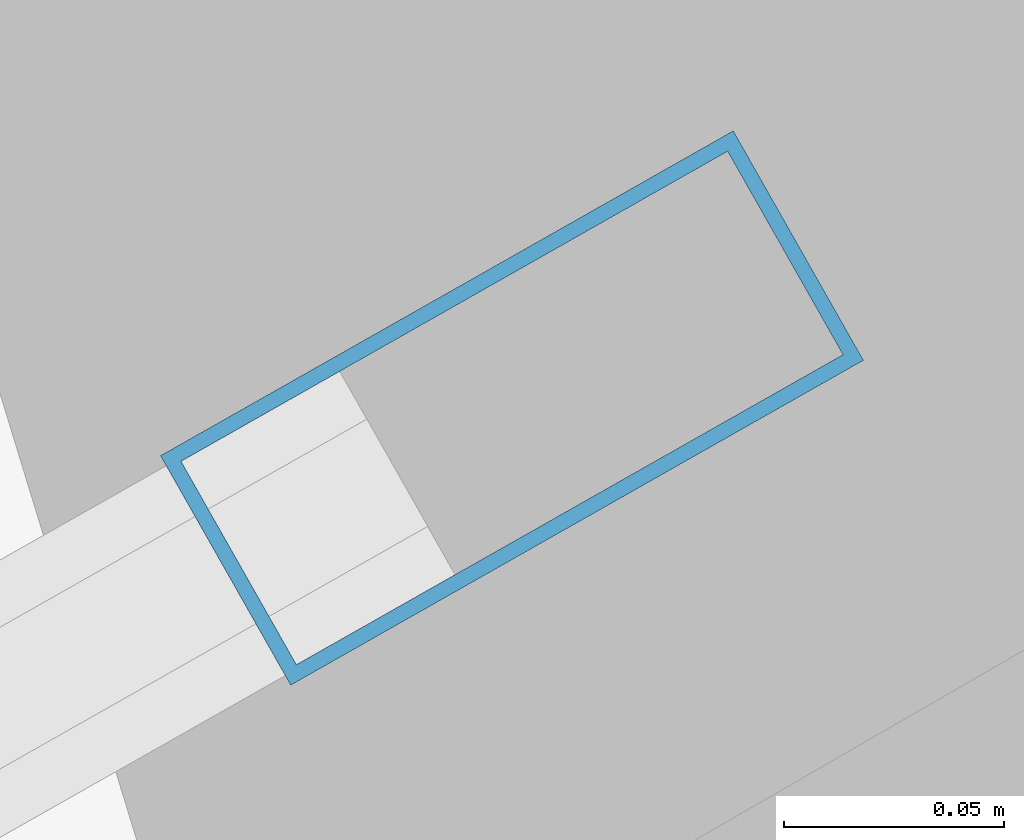
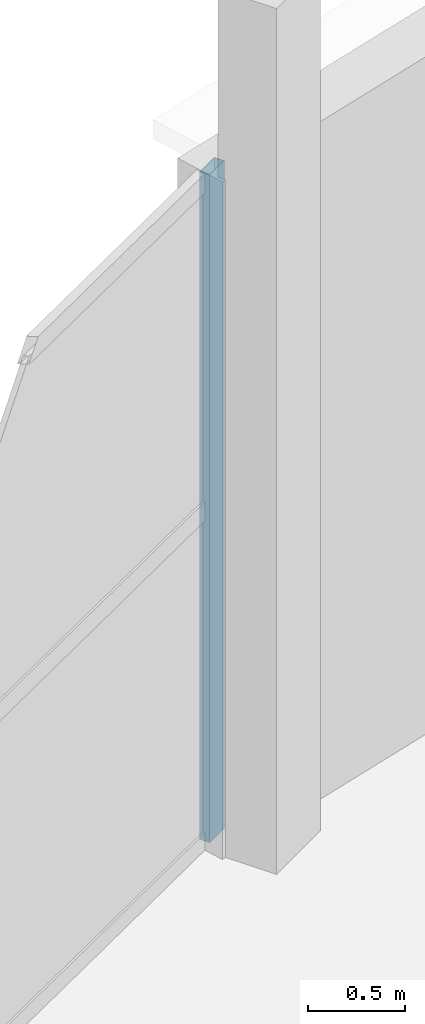
# One storey, part 48 of 123: 1 member, 1 element without a shape of its own.
"""IFC4 building model written with IfcOpenShell, lengths in metres."""

from ifc_helpers import new_model, si_unit, direction, frame, origin, origin_2d, place, context, subcontext, project, spatial, hollow_rectangle, extrude, material, layer, layer_set, material_profile, profile_set, type_object, element, aggregate, save


model = new_model("IFC4")

# Units and contexts
model_context = context("Model", 3, precision=1e-05, world=origin(), true_north=direction((0.0, 1.0)))
body_context = subcontext(model_context, "Body", "Model", "MODEL_VIEW")
ifc_project = project(units=[si_unit("LENGTHUNIT", "METRE"), si_unit("AREAUNIT", "SQUARE_METRE"), si_unit("VOLUMEUNIT", "CUBIC_METRE"), si_unit("PLANEANGLEUNIT", "RADIAN"), si_unit("MASSUNIT", "GRAM", prefix="KILO")], contexts=[model_context])

# Site, building, storey
site_placement = place(None, origin())
site = spatial("IfcSite", under=ifc_project, at=site_placement, CompositionType="ELEMENT")
building_placement = place(site_placement, origin())
building = spatial("IfcBuilding", under=site, at=building_placement, Name="Kalgoora Escarpment Arena", CompositionType="ELEMENT")
storey_placement = place(building_placement, frame((0.0, 0.0, 9.89990234375)))
storey = spatial("IfcBuildingStorey", under=building, at=storey_placement, Name="L02", CompositionType="ELEMENT", Elevation=9.89990234375)

# Curtain wall, member
ifc_material_1 = material(Name=" Champagne anodised aluminium & double-glazed low-E", Category="aluminium")
ifc_layer = layer(ifc_material_1, 0.14990234375)
ifc_layer_set = layer_set([ifc_layer], Name="CW-UNIT-15")
curtain_wall_type = type_object("IfcCurtainWallType", Name="CW-UNIT-15", PredefinedType="NOTDEFINED", material=ifc_layer_set)
curtain_wall_placement = place(storey_placement, origin())
curtain_wall = element("IfcCurtainWall", 1, at=curtain_wall_placement, inside=storey, type_object=curtain_wall_type, Name="L02 unitised facade curtain wall 074", PredefinedType="NOTDEFINED")
ifc_material_2 = material(Name="Anodised aluminium 6063-T6", Category="aluminium")
ifc_material_profile = material_profile(ifc_material_2, hollow_rectangle(XDim=0.06005859375, YDim=0.14990234375, WallThickness=0.00341796875, at=origin_2d()))
ifc_profile_set = profile_set([ifc_material_profile], Name="Anodised aluminium 6063-T6")
member_type = type_object("IfcMemberType", Name="MEM-CW-MULL-150", PredefinedType="MULLION", material=ifc_profile_set)
member_placement = place(storey_placement, frame((50.971435546875, 116.8466796875, 0.02001953125), z_axis=(0.0, 0.0, 1.0), x_axis=(-0.49334386581, 0.86983436933, 0.0)))
member = element("IfcMember", 2, at=member_placement, type_object=member_type, Name="CW-15 mullion 2", PredefinedType="MULLION", context=body_context, shape_type="SweptSolid", body=[
    extrude(hollow_rectangle(XDim=0.06005859375, YDim=0.14990234375, WallThickness=0.00341796875, at=origin_2d()), origin(), (0.0, 0.0, 1.0), 4.205078125),
])
aggregate(curtain_wall, [member])

save(model, "model.ifc")
